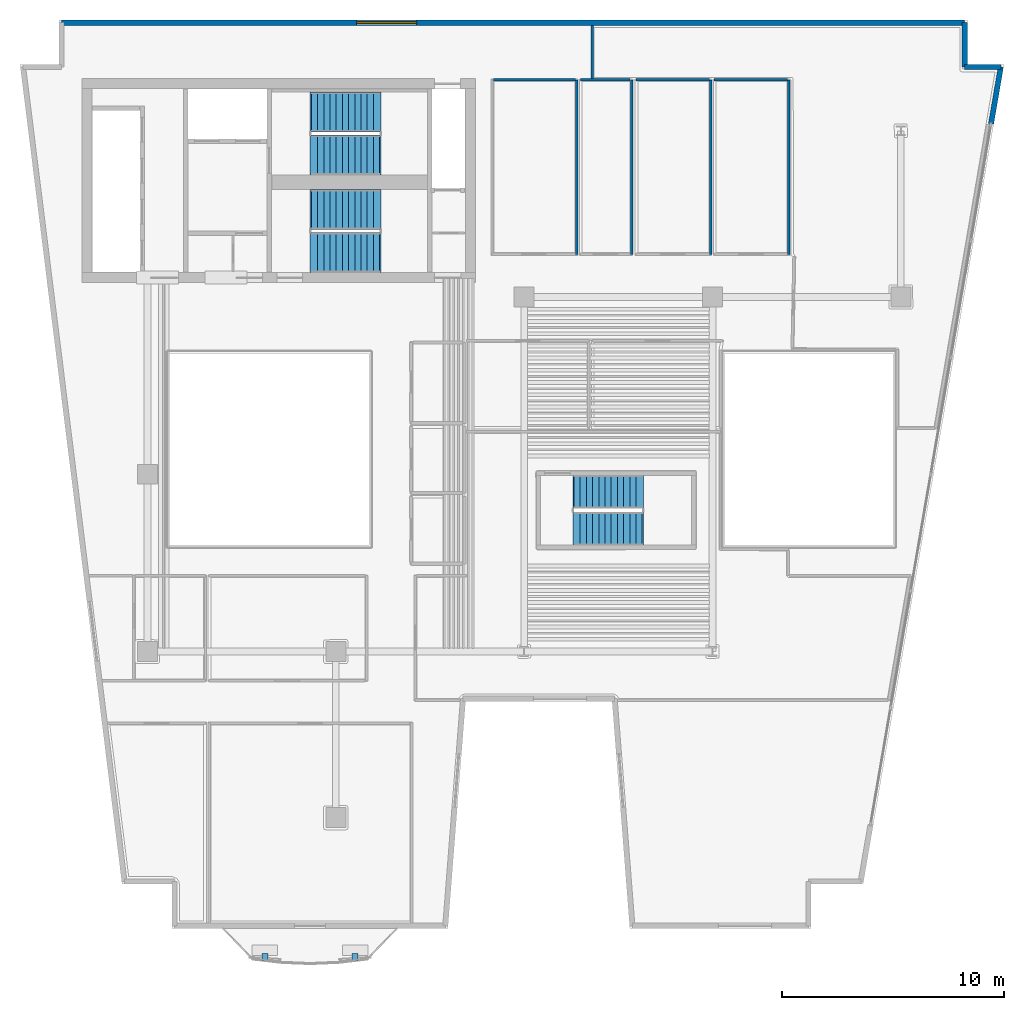
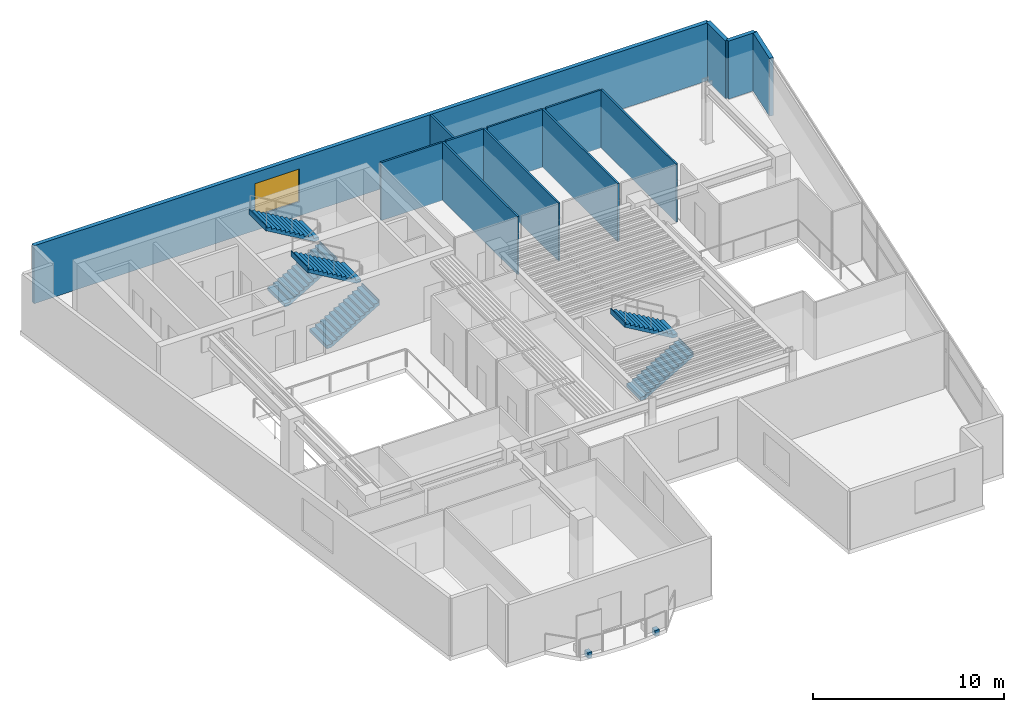
# One storey, part 6 of 9: 13 walls, 6 stair flights, 2 discrete accessories, 1 window, 1 opening, 3 elements without a shape of their own.
"""IFC4 building model written with IfcOpenShell, lengths in metres."""

from ifc_helpers import new_model, si_unit, direction, frame, frame_2d, origin, origin_2d, place, context, subcontext, project, spatial, polyline, rectangle, outline, extrude, material, layer, layer_set, type_object, element, fill, aggregate, save


model = new_model("IFC4")

# Units and contexts
model_context = context("Model", 3, precision=1e-05, world=origin(), true_north=direction((0.0, 1.0)))
body_context = subcontext(model_context, "Body", "Model", "MODEL_VIEW")
ifc_project = project(units=[si_unit("LENGTHUNIT", "METRE"), si_unit("AREAUNIT", "SQUARE_METRE"), si_unit("VOLUMEUNIT", "CUBIC_METRE"), si_unit("PLANEANGLEUNIT", "RADIAN"), si_unit("MASSUNIT", "GRAM", prefix="KILO")], contexts=[model_context])

# Site, building, storey
site_placement = place(None, origin())
site = spatial("IfcSite", under=ifc_project, at=site_placement, CompositionType="ELEMENT")
building_placement = place(site_placement, origin())
building = spatial("IfcBuilding", under=site, at=building_placement, Name="Caeloran Harvest Quay", CompositionType="ELEMENT")
storey_placement = place(building_placement, frame((0.0, 0.0, 207.449951171875)))
storey = spatial("IfcBuildingStorey", under=building, at=storey_placement, Name="L49", CompositionType="ELEMENT", Elevation=207.449951171875)

# Wall, opening, window
ifc_material_1 = material(Name="Precast concrete C50/60", Category="concrete")
ifc_layer_1 = layer(ifc_material_1, 0.239990234375, Name="Precast concrete C50/60")
ifc_layer_set_1 = layer_set([ifc_layer_1], Name="Precast concrete C50/60")
wall_type_1 = type_object("IfcWallType", Name="ENV-WALL-EW-240", PredefinedType="STANDARD", material=ifc_layer_set_1)
wall_1_placement = place(storey_placement, frame((4.6201171875, 43.3798828125, 0.0), z_axis=(0.0, 0.0, 1.0), x_axis=(1.0, 0.0, 0.0)))
wall_1 = element("IfcWall", 1, at=wall_1_placement, inside=storey, type_object=wall_type_1, Name="L49 Exterior Precast Concrete Facade Wall 6", PredefinedType="STANDARD", context=body_context, shape_type="SweptSolid", body=[
    extrude(rectangle(XDim=40.759765625, YDim=0.239990234375, at=frame_2d((20.3798828125, 0.0))), origin(), (0.0, 0.0, 1.0), 3.699951171875),
])
opening_placement = place(wall_1_placement, frame((13.323974609375, 0.0, 0.89990234375)))
opening = element("IfcOpeningElement", 2, at=opening_placement, cuts=wall_1, Name="Opening W-07", PredefinedType="OPENING", context=body_context, shape_type="SweptSolid", body=[
    extrude(rectangle(XDim=2.699951171875, YDim=2.10009765625, at=frame_2d((1.35009765625, 1.050048828125))), frame((0.0, 0.1298828125, 0.0), z_axis=(0.0, -1.0, 0.0), x_axis=(1.0, 0.0, 0.0)), (0.0, 0.0, 1.0), 0.260009765625),
])
ifc_material_2 = material(Name="Aluminium-Framed Low-E Laminated Glass", Category="aluminium")
window_type = type_object("IfcWindowType", Name="WIN-W-07", PartitioningType="DOUBLE_PANEL_VERTICAL", PredefinedType="WINDOW", material=ifc_material_2)
window_placement = place(opening_placement, origin())
window = element("IfcWindow", 3, at=window_placement, inside=storey, type_object=window_type, Name="L49 Facade Punched Window W-07", OverallHeight=2.10009765625, OverallWidth=2.699951171875, PartitioningType="DOUBLE_PANEL_VERTICAL", PredefinedType="WINDOW", context=body_context, shape_type="SweptSolid", body=[
    extrude(rectangle(XDim=2.699951171875, YDim=2.10009765625, at=frame_2d((1.35009765625, 1.050048828125))), frame((0.0, 0.030029296875, 0.0), z_axis=(0.0, -1.0, 0.0), x_axis=(1.0, 0.0, 0.0)), (0.0, 0.0, 1.0), 0.06005859375),
])
fill(opening, window)

# Walls
wall_2_placement = place(storey_placement, frame((45.3798828125, 43.3798828125, 0.0), z_axis=(0.0, 0.0, 1.0), x_axis=(0.0, -1.0, 0.0)))
element("IfcWall", 4, at=wall_2_placement, inside=storey, type_object=wall_type_1, Name="L49 Exterior Precast Concrete Facade Wall 7", PredefinedType="STANDARD", context=body_context, shape_type="SweptSolid", body=[
    extrude(rectangle(XDim=2.0, YDim=0.239990234375, at=frame_2d((1.0, 0.0))), origin(), (0.0, 0.0, 1.0), 3.699951171875),
])
wall_3_placement = place(storey_placement, frame((45.3798828125, 41.3798828125, 0.0), z_axis=(0.0, 0.0, 1.0), x_axis=(1.0, 0.0, 0.0)))
element("IfcWall", 5, at=wall_3_placement, inside=storey, type_object=wall_type_1, Name="L49 Exterior Precast Concrete Facade Wall 8", PredefinedType="STANDARD", context=body_context, shape_type="SweptSolid", body=[
    extrude(rectangle(XDim=1.634033203125, YDim=0.239990234375, at=frame_2d((0.81689453125, 0.0))), origin(), (0.0, 0.0, 1.0), 3.699951171875),
])
wall_4_placement = place(storey_placement, frame((47.013916015625, 41.3798828125, 0.0), z_axis=(0.0, 0.0, 1.0), x_axis=(-0.169406892601, -0.985546196147, 0.0)))
element("IfcWall", 6, at=wall_4_placement, inside=storey, type_object=wall_type_1, Name="L49 Exterior Facade Corner Pier Wall 9A", PredefinedType="STANDARD", context=body_context, shape_type="SweptSolid", body=[
    extrude(rectangle(XDim=2.599853515625, YDim=0.239990234375, at=frame_2d((1.2998046875, 0.0))), origin(), (0.0, 0.0, 1.0), 3.699951171875),
])
ifc_material_3 = material(Name="Single-Stud Acoustic Gypsum Office Partition", Category="gypsum")
ifc_layer_2 = layer(ifc_material_3, 0.112060546875, Name="Single-Stud Acoustic Gypsum Office Partition")
ifc_layer_set_2 = layer_set([ifc_layer_2], Name="Single-Stud Acoustic Gypsum Office Partition")
wall_type_2 = type_object("IfcWallType", Name="INT-WALL-PW-112", PredefinedType="PARTITIONING", material=ifc_layer_set_2)
wall_5_placement = place(storey_placement, frame((27.8798828125, 40.800048828125, 0.0), z_axis=(0.0, 0.0, 1.0), x_axis=(0.0, -1.0, 0.0)))
element("IfcWall", 7, at=wall_5_placement, inside=storey, type_object=wall_type_2, Name="L49 Crop Phenotyping West Laboratory Partition Wall", PredefinedType="PARTITIONING", context=body_context, shape_type="SweptSolid", body=[
    extrude(rectangle(XDim=7.880126953125, YDim=0.112060546875, at=frame_2d((3.93994140625, 0.0))), origin(), (0.0, 0.0, 1.0), 3.699951171875),
])
wall_6_placement = place(storey_placement, frame((24.111083984375, 40.800048828125, 0.0), z_axis=(0.0, 0.0, 1.0), x_axis=(1.0, 0.0, 0.0)))
element("IfcWall", 8, at=wall_6_placement, inside=storey, type_object=wall_type_2, Name="L49 Crop Phenotyping West Laboratory Partition Wall", PredefinedType="PARTITIONING", context=body_context, shape_type="SweptSolid", body=[
    extrude(rectangle(XDim=3.7080078125, YDim=0.112060546875, at=frame_2d((1.85400390625, 0.0))), origin(), (0.0, 0.0, 1.0), 3.699951171875),
])
wall_7_placement = place(storey_placement, frame((30.35009765625, 40.800048828125, 0.0), z_axis=(0.0, 0.0, 1.0), x_axis=(0.0, -1.0, 0.0)))
element("IfcWall", 9, at=wall_7_placement, inside=storey, type_object=wall_type_2, Name="L49 Genomics Sequencing East Studio Partition Wall", PredefinedType="PARTITIONING", context=body_context, shape_type="SweptSolid", body=[
    extrude(rectangle(XDim=7.880126953125, YDim=0.112060546875, at=frame_2d((3.93994140625, 0.0))), origin(), (0.0, 0.0, 1.0), 3.699951171875),
])
wall_8_placement = place(storey_placement, frame((28.0400390625, 40.800048828125, 0.0), z_axis=(0.0, 0.0, 1.0), x_axis=(1.0, 0.0, 0.0)))
element("IfcWall", 10, at=wall_8_placement, inside=storey, type_object=wall_type_2, Name="L49 Genomics Sequencing East Studio Partition Wall", PredefinedType="PARTITIONING", context=body_context, shape_type="SweptSolid", body=[
    extrude(rectangle(XDim=2.2490234375, YDim=0.112060546875, at=frame_2d((1.12451171875, 0.0))), origin(), (0.0, 0.0, 1.0), 3.699951171875),
])
wall_9_placement = place(storey_placement, frame((33.919921875, 40.800048828125, 0.0), z_axis=(0.0, 0.0, 1.0), x_axis=(0.0, -1.0, 0.0)))
element("IfcWall", 11, at=wall_9_placement, inside=storey, type_object=wall_type_2, Name="L49 Agri-Genomics West Boardroom Partition Wall", PredefinedType="PARTITIONING", context=body_context, shape_type="SweptSolid", body=[
    extrude(rectangle(XDim=7.880126953125, YDim=0.112060546875, at=frame_2d((3.93994140625, 0.0))), origin(), (0.0, 0.0, 1.0), 3.699951171875),
])
wall_10_placement = place(storey_placement, frame((30.550048828125, 40.800048828125, 0.0), z_axis=(0.0, 0.0, 1.0), x_axis=(1.0, 0.0, 0.0)))
element("IfcWall", 12, at=wall_10_placement, inside=storey, type_object=wall_type_2, Name="L49 Agri-Genomics West Boardroom Partition Wall", PredefinedType="PARTITIONING", context=body_context, shape_type="SweptSolid", body=[
    extrude(rectangle(XDim=3.308837890625, YDim=0.112060546875, at=frame_2d((1.654296875, 0.0))), origin(), (0.0, 0.0, 1.0), 3.699951171875),
])
wall_11_placement = place(storey_placement, frame((37.449951171875, 40.800048828125, 0.0), z_axis=(0.0, 0.0, 1.0), x_axis=(0.0, -1.0, 0.0)))
element("IfcWall", 13, at=wall_11_placement, inside=storey, type_object=wall_type_2, Name="L49 Executive Strategy East Office Partition Wall", PredefinedType="PARTITIONING", context=body_context, shape_type="SweptSolid", body=[
    extrude(rectangle(XDim=7.880126953125, YDim=0.112060546875, at=frame_2d((3.93994140625, 0.0))), origin(), (0.0, 0.0, 1.0), 3.699951171875),
])
wall_12_placement = place(storey_placement, frame((34.080078125, 40.800048828125, 0.0), z_axis=(0.0, 0.0, 1.0), x_axis=(1.0, 0.0, 0.0)))
element("IfcWall", 14, at=wall_12_placement, inside=storey, type_object=wall_type_2, Name="L49 Executive Strategy East Office Partition Wall", PredefinedType="PARTITIONING", context=body_context, shape_type="SweptSolid", body=[
    extrude(rectangle(XDim=3.308837890625, YDim=0.112060546875, at=frame_2d((1.654296875, 0.0))), origin(), (0.0, 0.0, 1.0), 3.699951171875),
])
wall_13_placement = place(storey_placement, frame((28.580078125, 40.861083984375, 0.0), z_axis=(0.0, 0.0, 1.0), x_axis=(0.0, 1.0, 0.0)))
element("IfcWall", 15, at=wall_13_placement, inside=storey, type_object=wall_type_2, Name="Policy Seminar Meeting Hall 8 Partition Wall", PredefinedType="PARTITIONING", context=body_context, shape_type="SweptSolid", body=[
    extrude(rectangle(XDim=2.393798828125, YDim=0.112060546875, at=frame_2d((1.19677734375, 0.0))), origin(), (0.0, 0.0, 1.0), 3.699951171875),
])

# Stair, stair flights
ifc_material_4 = material(Name="Concrete C50/60", Category="concrete")
stair_type_1 = type_object("IfcStairType", Name="STAIR-STC-180", PredefinedType="HALF_TURN_STAIR", material=ifc_material_4)
stair_1_placement = place(storey_placement, origin())
stair_1 = element("IfcStair", 16, at=stair_1_placement, inside=storey, type_object=stair_type_1, Name="L49 Core Pressurized Exit Stair ST-C1", PredefinedType="HALF_TURN_STAIR")
stair_flight_type_1 = type_object("IfcStairFlightType", Name="FLIGHT-STC-180", PredefinedType="STRAIGHT", material=ifc_material_4)
stair_flight_1_placement = place(storey_placement, frame((15.89990234375, 37.39990234375, 0.0), z_axis=(0.0, 0.0, 1.0), x_axis=(1.0, 0.0, 0.0)))
stair_flight_1 = element("IfcStairFlight", 17, at=stair_flight_1_placement, type_object=stair_flight_type_1, Name="ST-C1 flight 1", NumberOfRisers=12, NumberOfTreads=11, PredefinedType="STRAIGHT", RiserHeight=0.164583333, TreadLength=0.28, context=body_context, shape_type="SweptSolid", body=[
    extrude(outline(polyline([(-0.054931640625, -0.044921875), (-0.054931640625, -0.031982421875), (-0.054931640625, -0.018798828125), (-0.054931640625, -0.005615234375), (-0.054931640625, 0.00732421875), (-0.054931640625, 0.0205078125), (-0.054931640625, 0.03369140625), (-0.054931640625, 0.046630859375), (-0.054931640625, 0.059814453125), (-0.054931640625, 0.072998046875), (-0.054931640625, 0.0859375), (-0.054931640625, 0.09912109375), (-0.054931640625, 0.1123046875), (-0.054931640625, 0.125244140625), (-0.054931640625, 0.138427734375), (-0.054931640625, 0.1513671875), (-0.054931640625, 0.16455078125), (0.280029296875, 0.16455078125), (0.280029296875, 0.3291015625), (0.56005859375, 0.3291015625), (0.56005859375, 0.49365234375), (0.840087890625, 0.49365234375), (0.840087890625, 0.658447265625), (1.1201171875, 0.658447265625), (1.1201171875, 0.822998046875), (1.39990234375, 0.822998046875), (1.39990234375, 0.987548828125), (1.679931640625, 0.987548828125), (1.679931640625, 1.152099609375), (1.9599609375, 1.152099609375), (1.9599609375, 1.316650390625), (2.239990234375, 1.316650390625), (2.239990234375, 1.481201171875), (2.52001953125, 1.481201171875), (2.52001953125, 1.645751953125), (2.800048828125, 1.645751953125), (2.800048828125, 1.810302734375), (3.080078125, 1.810302734375), (3.080078125, 1.97509765625), (3.135009765625, 1.97509765625), (3.135009765625, 1.953857421875), (3.135009765625, 1.9326171875), (3.135009765625, 1.91162109375), (3.135009765625, 1.890380859375), (3.135009765625, 1.869140625), (3.135009765625, 1.84814453125), (3.135009765625, 1.826904296875), (3.135009765625, 1.8056640625), (3.135009765625, 1.78466796875), (3.135009765625, 1.763427734375), (3.135009765625, 1.7421875), (3.135009765625, 1.72119140625), (3.135009765625, 1.699951171875), (3.135009765625, 1.678955078125), (3.135009765625, 1.65771484375), (3.135009765625, 1.636474609375), (3.080078125, 1.636474609375), (0.21923828125, -0.044921875), (-0.054931640625, -0.044921875)])), frame((0.0, 0.89990234375, 0.0), z_axis=(0.0, -1.0, 0.0), x_axis=(1.0, 0.0, 0.0)), (0.0, 0.0, 1.0), 1.800048828125),
])
stair_flight_2_placement = place(storey_placement, frame((18.97998046875, 39.35009765625, 1.97509765625), z_axis=(0.0, 0.0, 1.0), x_axis=(-1.0, 0.0, 0.0)))
stair_flight_2 = element("IfcStairFlight", 18, at=stair_flight_2_placement, type_object=stair_flight_type_1, Name="ST-C1 flight 2", NumberOfRisers=12, NumberOfTreads=11, PredefinedType="STRAIGHT", RiserHeight=0.164583333, TreadLength=0.28, context=body_context, shape_type="SweptSolid", body=[
    extrude(outline(polyline([(-0.054931640625, -0.044921875), (-0.054931640625, -0.031982421875), (-0.054931640625, -0.018798828125), (-0.054931640625, -0.005615234375), (-0.054931640625, 0.00732421875), (-0.054931640625, 0.0205078125), (-0.054931640625, 0.03369140625), (-0.054931640625, 0.046630859375), (-0.054931640625, 0.059814453125), (-0.054931640625, 0.072998046875), (-0.054931640625, 0.0859375), (-0.054931640625, 0.09912109375), (-0.054931640625, 0.1123046875), (-0.054931640625, 0.125244140625), (-0.054931640625, 0.138427734375), (-0.054931640625, 0.1513671875), (-0.054931640625, 0.16455078125), (0.280029296875, 0.16455078125), (0.280029296875, 0.3291015625), (0.56005859375, 0.3291015625), (0.56005859375, 0.49365234375), (0.840087890625, 0.49365234375), (0.840087890625, 0.658447265625), (1.1201171875, 0.658447265625), (1.1201171875, 0.822998046875), (1.39990234375, 0.822998046875), (1.39990234375, 0.987548828125), (1.679931640625, 0.987548828125), (1.679931640625, 1.152099609375), (1.9599609375, 1.152099609375), (1.9599609375, 1.316650390625), (2.239990234375, 1.316650390625), (2.239990234375, 1.481201171875), (2.52001953125, 1.481201171875), (2.52001953125, 1.645751953125), (2.800048828125, 1.645751953125), (2.800048828125, 1.810302734375), (3.080078125, 1.810302734375), (3.080078125, 1.97509765625), (3.135009765625, 1.97509765625), (3.135009765625, 1.953857421875), (3.135009765625, 1.9326171875), (3.135009765625, 1.91162109375), (3.135009765625, 1.890380859375), (3.135009765625, 1.869140625), (3.135009765625, 1.84814453125), (3.135009765625, 1.826904296875), (3.135009765625, 1.8056640625), (3.135009765625, 1.78466796875), (3.135009765625, 1.763427734375), (3.135009765625, 1.7421875), (3.135009765625, 1.72119140625), (3.135009765625, 1.699951171875), (3.135009765625, 1.678955078125), (3.135009765625, 1.65771484375), (3.135009765625, 1.636474609375), (3.080078125, 1.636474609375), (0.21923828125, -0.044921875), (-0.054931640625, -0.044921875)])), frame((0.0, 0.89990234375, 0.0), z_axis=(0.0, -1.0, 0.0), x_axis=(1.0, 0.0, 0.0)), (0.0, 0.0, 1.0), 1.800048828125),
])
aggregate(stair_1, [stair_flight_1, stair_flight_2])

stair_2_placement = place(storey_placement, origin())
stair_2 = element("IfcStair", 19, at=stair_2_placement, inside=storey, type_object=stair_type_1, Name="L49 Core Pressurized Exit Stair ST-C2", PredefinedType="HALF_TURN_STAIR")
stair_flight_3_placement = place(storey_placement, frame((15.89990234375, 33.0, 0.0), z_axis=(0.0, 0.0, 1.0), x_axis=(1.0, 0.0, 0.0)))
stair_flight_3 = element("IfcStairFlight", 20, at=stair_flight_3_placement, type_object=stair_flight_type_1, Name="ST-C2 flight 1", NumberOfRisers=12, NumberOfTreads=11, PredefinedType="STRAIGHT", RiserHeight=0.164583333, TreadLength=0.28, context=body_context, shape_type="SweptSolid", body=[
    extrude(outline(polyline([(-0.054931640625, -0.044921875), (-0.054931640625, -0.031982421875), (-0.054931640625, -0.018798828125), (-0.054931640625, -0.005615234375), (-0.054931640625, 0.00732421875), (-0.054931640625, 0.0205078125), (-0.054931640625, 0.03369140625), (-0.054931640625, 0.046630859375), (-0.054931640625, 0.059814453125), (-0.054931640625, 0.072998046875), (-0.054931640625, 0.0859375), (-0.054931640625, 0.09912109375), (-0.054931640625, 0.1123046875), (-0.054931640625, 0.125244140625), (-0.054931640625, 0.138427734375), (-0.054931640625, 0.1513671875), (-0.054931640625, 0.16455078125), (0.280029296875, 0.16455078125), (0.280029296875, 0.3291015625), (0.56005859375, 0.3291015625), (0.56005859375, 0.49365234375), (0.840087890625, 0.49365234375), (0.840087890625, 0.658447265625), (1.1201171875, 0.658447265625), (1.1201171875, 0.822998046875), (1.39990234375, 0.822998046875), (1.39990234375, 0.987548828125), (1.679931640625, 0.987548828125), (1.679931640625, 1.152099609375), (1.9599609375, 1.152099609375), (1.9599609375, 1.316650390625), (2.239990234375, 1.316650390625), (2.239990234375, 1.481201171875), (2.52001953125, 1.481201171875), (2.52001953125, 1.645751953125), (2.800048828125, 1.645751953125), (2.800048828125, 1.810302734375), (3.080078125, 1.810302734375), (3.080078125, 1.97509765625), (3.135009765625, 1.97509765625), (3.135009765625, 1.953857421875), (3.135009765625, 1.9326171875), (3.135009765625, 1.91162109375), (3.135009765625, 1.890380859375), (3.135009765625, 1.869140625), (3.135009765625, 1.84814453125), (3.135009765625, 1.826904296875), (3.135009765625, 1.8056640625), (3.135009765625, 1.78466796875), (3.135009765625, 1.763427734375), (3.135009765625, 1.7421875), (3.135009765625, 1.72119140625), (3.135009765625, 1.699951171875), (3.135009765625, 1.678955078125), (3.135009765625, 1.65771484375), (3.135009765625, 1.636474609375), (3.080078125, 1.636474609375), (0.21923828125, -0.044921875), (-0.054931640625, -0.044921875)])), frame((0.0, 0.89990234375, 0.0), z_axis=(0.0, -1.0, 0.0), x_axis=(1.0, 0.0, 0.0)), (0.0, 0.0, 1.0), 1.800048828125),
])
stair_flight_4_placement = place(storey_placement, frame((18.97998046875, 34.949951171875, 1.97509765625), z_axis=(0.0, 0.0, 1.0), x_axis=(-1.0, 0.0, 0.0)))
stair_flight_4 = element("IfcStairFlight", 21, at=stair_flight_4_placement, type_object=stair_flight_type_1, Name="ST-C2 flight 2", NumberOfRisers=12, NumberOfTreads=11, PredefinedType="STRAIGHT", RiserHeight=0.164583333, TreadLength=0.28, context=body_context, shape_type="SweptSolid", body=[
    extrude(outline(polyline([(-0.054931640625, -0.044921875), (-0.054931640625, -0.031982421875), (-0.054931640625, -0.018798828125), (-0.054931640625, -0.005615234375), (-0.054931640625, 0.00732421875), (-0.054931640625, 0.0205078125), (-0.054931640625, 0.03369140625), (-0.054931640625, 0.046630859375), (-0.054931640625, 0.059814453125), (-0.054931640625, 0.072998046875), (-0.054931640625, 0.0859375), (-0.054931640625, 0.09912109375), (-0.054931640625, 0.1123046875), (-0.054931640625, 0.125244140625), (-0.054931640625, 0.138427734375), (-0.054931640625, 0.1513671875), (-0.054931640625, 0.16455078125), (0.280029296875, 0.16455078125), (0.280029296875, 0.3291015625), (0.56005859375, 0.3291015625), (0.56005859375, 0.49365234375), (0.840087890625, 0.49365234375), (0.840087890625, 0.658447265625), (1.1201171875, 0.658447265625), (1.1201171875, 0.822998046875), (1.39990234375, 0.822998046875), (1.39990234375, 0.987548828125), (1.679931640625, 0.987548828125), (1.679931640625, 1.152099609375), (1.9599609375, 1.152099609375), (1.9599609375, 1.316650390625), (2.239990234375, 1.316650390625), (2.239990234375, 1.481201171875), (2.52001953125, 1.481201171875), (2.52001953125, 1.645751953125), (2.800048828125, 1.645751953125), (2.800048828125, 1.810302734375), (3.080078125, 1.810302734375), (3.080078125, 1.97509765625), (3.135009765625, 1.97509765625), (3.135009765625, 1.953857421875), (3.135009765625, 1.9326171875), (3.135009765625, 1.91162109375), (3.135009765625, 1.890380859375), (3.135009765625, 1.869140625), (3.135009765625, 1.84814453125), (3.135009765625, 1.826904296875), (3.135009765625, 1.8056640625), (3.135009765625, 1.78466796875), (3.135009765625, 1.763427734375), (3.135009765625, 1.7421875), (3.135009765625, 1.72119140625), (3.135009765625, 1.699951171875), (3.135009765625, 1.678955078125), (3.135009765625, 1.65771484375), (3.135009765625, 1.636474609375), (3.080078125, 1.636474609375), (0.21923828125, -0.044921875), (-0.054931640625, -0.044921875)])), frame((0.0, 0.89990234375, 0.0), z_axis=(0.0, -1.0, 0.0), x_axis=(1.0, 0.0, 0.0)), (0.0, 0.0, 1.0), 1.800048828125),
])
aggregate(stair_2, [stair_flight_3, stair_flight_4])

stair_type_2 = type_object("IfcStairType", Name="STAIR-STW-150", PredefinedType="HALF_TURN_STAIR", material=ifc_material_4)
stair_3_placement = place(storey_placement, origin())
stair_3 = element("IfcStair", 22, at=stair_3_placement, inside=storey, type_object=stair_type_2, Name="L49 East Wing Protected Exit Stair ST-W1", PredefinedType="HALF_TURN_STAIR")
stair_flight_type_2 = type_object("IfcStairFlightType", Name="FLIGHT-STW-150", PredefinedType="STRAIGHT", material=ifc_material_4)
stair_flight_5_placement = place(storey_placement, frame((27.75, 20.550048828125, 0.0), z_axis=(0.0, 0.0, 1.0), x_axis=(1.0, 0.0, 0.0)))
stair_flight_5 = element("IfcStairFlight", 23, at=stair_flight_5_placement, type_object=stair_flight_type_2, Name="ST-W1 flight 1", NumberOfRisers=12, NumberOfTreads=11, PredefinedType="STRAIGHT", RiserHeight=0.164583333, TreadLength=0.28, context=body_context, shape_type="SweptSolid", body=[
    extrude(outline(polyline([(-0.054931640625, -0.044921875), (-0.054931640625, -0.031982421875), (-0.054931640625, -0.018798828125), (-0.054931640625, -0.005615234375), (-0.054931640625, 0.00732421875), (-0.054931640625, 0.0205078125), (-0.054931640625, 0.03369140625), (-0.054931640625, 0.046630859375), (-0.054931640625, 0.059814453125), (-0.054931640625, 0.072998046875), (-0.054931640625, 0.0859375), (-0.054931640625, 0.09912109375), (-0.054931640625, 0.1123046875), (-0.054931640625, 0.125244140625), (-0.054931640625, 0.138427734375), (-0.054931640625, 0.1513671875), (-0.054931640625, 0.16455078125), (0.280029296875, 0.16455078125), (0.280029296875, 0.3291015625), (0.56005859375, 0.3291015625), (0.56005859375, 0.49365234375), (0.840087890625, 0.49365234375), (0.840087890625, 0.658447265625), (1.1201171875, 0.658447265625), (1.1201171875, 0.822998046875), (1.39990234375, 0.822998046875), (1.39990234375, 0.987548828125), (1.679931640625, 0.987548828125), (1.679931640625, 1.152099609375), (1.9599609375, 1.152099609375), (1.9599609375, 1.316650390625), (2.239990234375, 1.316650390625), (2.239990234375, 1.481201171875), (2.52001953125, 1.481201171875), (2.52001953125, 1.645751953125), (2.800048828125, 1.645751953125), (2.800048828125, 1.810302734375), (3.080078125, 1.810302734375), (3.080078125, 1.97509765625), (3.135009765625, 1.97509765625), (3.135009765625, 1.953857421875), (3.135009765625, 1.9326171875), (3.135009765625, 1.91162109375), (3.135009765625, 1.890380859375), (3.135009765625, 1.869140625), (3.135009765625, 1.84814453125), (3.135009765625, 1.826904296875), (3.135009765625, 1.8056640625), (3.135009765625, 1.78466796875), (3.135009765625, 1.763427734375), (3.135009765625, 1.7421875), (3.135009765625, 1.72119140625), (3.135009765625, 1.699951171875), (3.135009765625, 1.678955078125), (3.135009765625, 1.65771484375), (3.135009765625, 1.636474609375), (3.080078125, 1.636474609375), (0.21923828125, -0.044921875), (-0.054931640625, -0.044921875)])), frame((0.0, 0.75, 0.0), z_axis=(0.0, -1.0, 0.0), x_axis=(1.0, 0.0, 0.0)), (0.0, 0.0, 1.0), 1.5),
])
stair_flight_6_placement = place(storey_placement, frame((30.830078125, 22.199951171875, 1.97509765625), z_axis=(0.0, 0.0, 1.0), x_axis=(-1.0, 0.0, 0.0)))
stair_flight_6 = element("IfcStairFlight", 24, at=stair_flight_6_placement, type_object=stair_flight_type_2, Name="ST-W1 flight 2", NumberOfRisers=12, NumberOfTreads=11, PredefinedType="STRAIGHT", RiserHeight=0.164583333, TreadLength=0.28, context=body_context, shape_type="SweptSolid", body=[
    extrude(outline(polyline([(-0.054931640625, -0.044921875), (-0.054931640625, -0.031982421875), (-0.054931640625, -0.018798828125), (-0.054931640625, -0.005615234375), (-0.054931640625, 0.00732421875), (-0.054931640625, 0.0205078125), (-0.054931640625, 0.03369140625), (-0.054931640625, 0.046630859375), (-0.054931640625, 0.059814453125), (-0.054931640625, 0.072998046875), (-0.054931640625, 0.0859375), (-0.054931640625, 0.09912109375), (-0.054931640625, 0.1123046875), (-0.054931640625, 0.125244140625), (-0.054931640625, 0.138427734375), (-0.054931640625, 0.1513671875), (-0.054931640625, 0.16455078125), (0.280029296875, 0.16455078125), (0.280029296875, 0.3291015625), (0.56005859375, 0.3291015625), (0.56005859375, 0.49365234375), (0.840087890625, 0.49365234375), (0.840087890625, 0.658447265625), (1.1201171875, 0.658447265625), (1.1201171875, 0.822998046875), (1.39990234375, 0.822998046875), (1.39990234375, 0.987548828125), (1.679931640625, 0.987548828125), (1.679931640625, 1.152099609375), (1.9599609375, 1.152099609375), (1.9599609375, 1.316650390625), (2.239990234375, 1.316650390625), (2.239990234375, 1.481201171875), (2.52001953125, 1.481201171875), (2.52001953125, 1.645751953125), (2.800048828125, 1.645751953125), (2.800048828125, 1.810302734375), (3.080078125, 1.810302734375), (3.080078125, 1.97509765625), (3.135009765625, 1.97509765625), (3.135009765625, 1.953857421875), (3.135009765625, 1.9326171875), (3.135009765625, 1.91162109375), (3.135009765625, 1.890380859375), (3.135009765625, 1.869140625), (3.135009765625, 1.84814453125), (3.135009765625, 1.826904296875), (3.135009765625, 1.8056640625), (3.135009765625, 1.78466796875), (3.135009765625, 1.763427734375), (3.135009765625, 1.7421875), (3.135009765625, 1.72119140625), (3.135009765625, 1.699951171875), (3.135009765625, 1.678955078125), (3.135009765625, 1.65771484375), (3.135009765625, 1.636474609375), (3.080078125, 1.636474609375), (0.21923828125, -0.044921875), (-0.054931640625, -0.044921875)])), frame((0.0, 0.75, 0.0), z_axis=(0.0, -1.0, 0.0), x_axis=(1.0, 0.0, 0.0)), (0.0, 0.0, 1.0), 1.5),
])
aggregate(stair_3, [stair_flight_5, stair_flight_6])

# Discrete accessories
ifc_material_5 = material(Name="Stainless Steel Grade 316L", Category="steel")
discrete_accessory_type = type_object("IfcDiscreteAccessoryType", Name="BRACKET-SCREEN-SS", PredefinedType="BRACKET", material=ifc_material_5)
for number, where, z_axis, x_axis, name in (
    (25, (17.868408203125, 1.204833984375, -0.22021484375), (0.0, 0.0, 1.0), (1.0, 0.0, 0.0), "L49 Balcony Screen Support Bracket 1"),
    (26, (13.800537109375, 1.204833984375, -0.22021484375), (0.0, 0.0, 1.0), (1.0, 0.0, 0.0), "L49 Balcony Screen Support Bracket 2"),
):
    element("IfcDiscreteAccessory", number, at=place(storey_placement, frame(where, z_axis=z_axis, x_axis=x_axis)), inside=storey, type_object=discrete_accessory_type, Name=name, PredefinedType="BRACKET", context=body_context, shape_type="SweptSolid", body=[
        extrude(rectangle(XDim=0.260009765625, YDim=0.340087890625, at=origin_2d()), origin(), (0.0, 0.0, 1.0), 0.360107421875),
    ])

save(model, "model.ifc")
